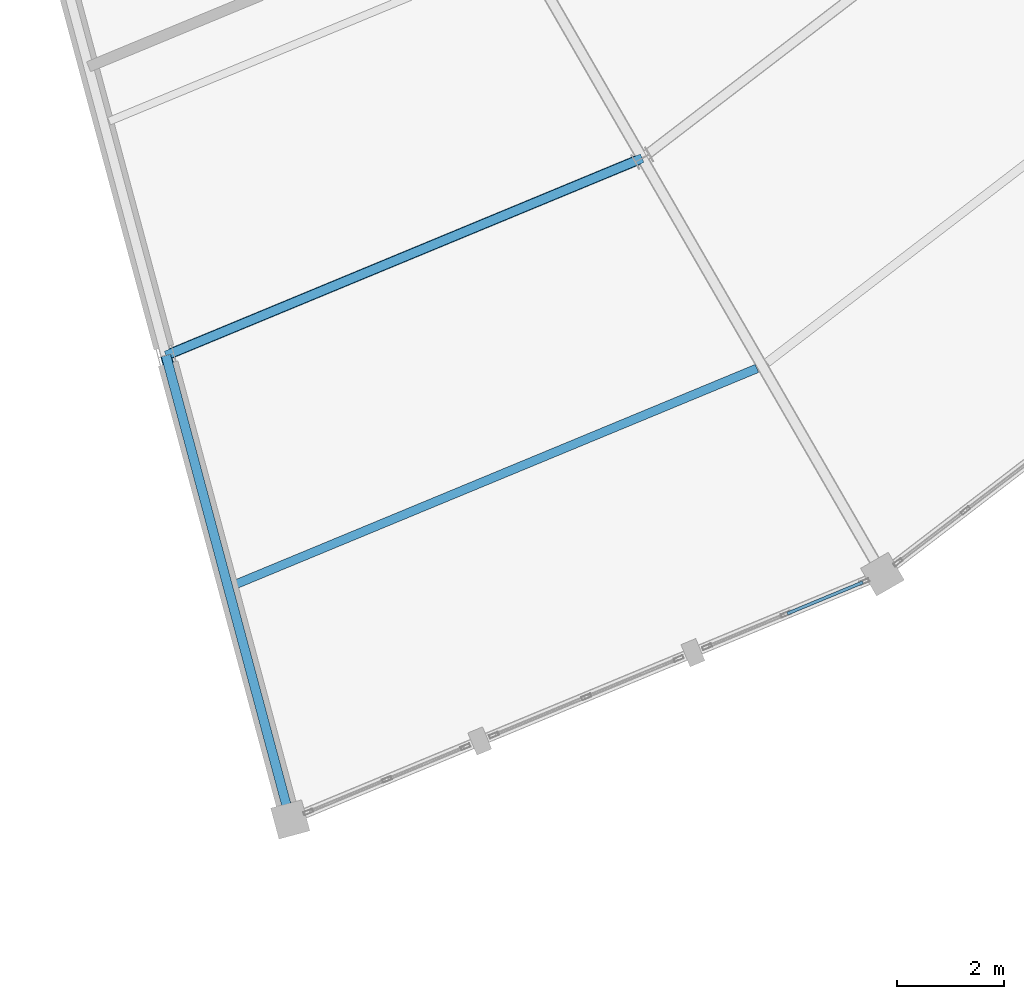
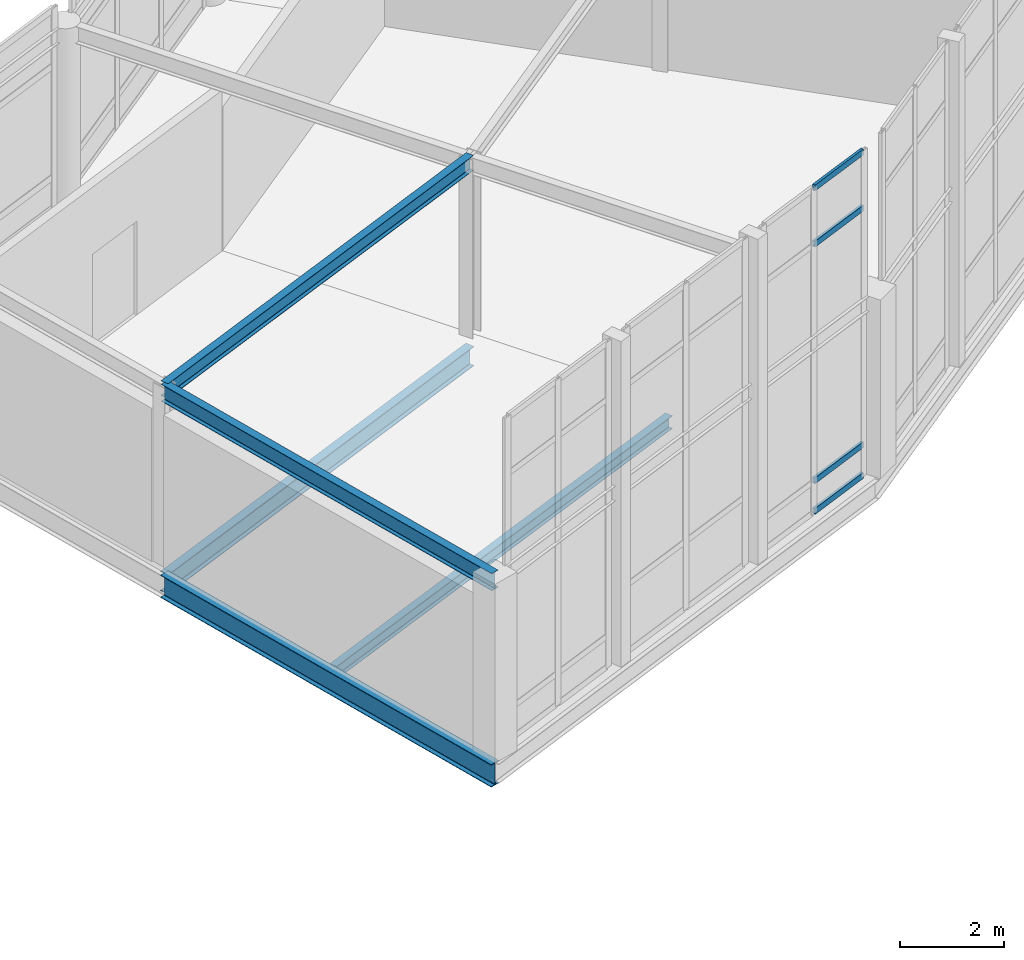
# One storey, part 42 of 170: 5 beams, 4 members, 1 element without a shape of its own.
"""IFC4 building model written with IfcOpenShell, lengths in metres."""

from ifc_helpers import new_model, si_unit, direction, frame, origin, origin_2d, place, context, subcontext, project, spatial, hollow_rectangle, i_section, extrude, material, material_profile, profile_set, type_object, element, aggregate, save


model = new_model("IFC4")

# Units and contexts
model_context = context("Model", 3, precision=1e-05, world=origin(), true_north=direction((0.0, 1.0)))
body_context = subcontext(model_context, "Body", "Model", "MODEL_VIEW")
ifc_project = project(units=[si_unit("LENGTHUNIT", "METRE"), si_unit("AREAUNIT", "SQUARE_METRE"), si_unit("VOLUMEUNIT", "CUBIC_METRE"), si_unit("PLANEANGLEUNIT", "RADIAN"), si_unit("MASSUNIT", "GRAM", prefix="KILO")], contexts=[model_context])

# Site, building, storey
site_placement = place(None, origin())
site = spatial("IfcSite", under=ifc_project, at=site_placement, CompositionType="ELEMENT")
building_placement = place(site_placement, origin())
building = spatial("IfcBuilding", under=site, at=building_placement, Name="Vondelvale Polytechnic", CompositionType="ELEMENT")
storey_placement = place(building_placement, frame((0.0, 0.0, 5.39990234375)))
storey = spatial("IfcBuildingStorey", under=building, at=storey_placement, Name="L01", CompositionType="ELEMENT", Elevation=5.39990234375)

# Beams
ifc_material_1 = material(Name="Steel 300PLUS (fy = 300 MPa)", Category="steel")
ifc_material_profile_1 = material_profile(ifc_material_1, i_section(OverallWidth=0.1708984375, OverallDepth=0.35205078125, WebThickness=0.0068359375, FlangeThickness=0.009765625, FilletRadius=0.011474609375, at=origin_2d()), Name="360UB44.7")
ifc_profile_set_1 = profile_set([ifc_material_profile_1], Name="Steel 300PLUS (fy = 300 MPa)")
beam_type_1 = type_object("IfcBeamType", Name="BM-UB360L", PredefinedType="BEAM", material=ifc_profile_set_1)
beam_1_placement = place(storey_placement, frame((111.576416015625, 36.2607421875, 4.024169921875), z_axis=(0.923878816854, 0.38268516011, 0.0), x_axis=(-0.38268516011, 0.923878816854, 0.0)))
element("IfcBeam", 1, at=beam_1_placement, inside=storey, type_object=beam_type_1, Name="L01 RE B-24", PredefinedType="BEAM", context=body_context, shape_type="SweptSolid", body=[
    extrude(i_section(OverallWidth=0.1708984375, OverallDepth=0.35205078125, WebThickness=0.0068359375, FlangeThickness=0.009765625, FilletRadius=0.011474609375, at=origin_2d()), origin(), (0.0, 0.0, 1.0), 9.658935546875),
])
ifc_material_profile_2 = material_profile(ifc_material_1, i_section(OverallWidth=0.177978515625, OverallDepth=0.403076171875, WebThickness=0.007568359375, FlangeThickness=0.010986328125, FilletRadius=0.011474609375, at=origin_2d()), Name="410UB53.7")
ifc_profile_set_2 = profile_set([ifc_material_profile_2], Name="Steel 300PLUS (fy = 300 MPa)")
beam_type_2 = type_object("IfcBeamType", Name="BM-UB410L", PredefinedType="BEAM", material=ifc_profile_set_2)
beam_2_placement = place(storey_placement, frame((111.576416015625, 36.2607421875, 3.99853515625), z_axis=(0.25881563226, -0.965926740751, 0.0), x_axis=(0.965926740751, 0.25881563226, 0.0)))
element("IfcBeam", 2, at=beam_2_placement, inside=storey, type_object=beam_type_2, Name="L01 REG B-23", PredefinedType="BEAM", context=body_context, shape_type="SweptSolid", body=[
    extrude(i_section(OverallWidth=0.177978515625, OverallDepth=0.403076171875, WebThickness=0.007568359375, FlangeThickness=0.010986328125, FilletRadius=0.011474609375, at=origin_2d()), origin(), (0.0, 0.0, 1.0), 9.0),
])
ifc_material_profile_3 = material_profile(ifc_material_1, i_section(OverallWidth=0.19091796875, OverallDepth=0.4599609375, WebThickness=0.010009765625, FlangeThickness=0.01611328125, FilletRadius=0.011474609375, at=origin_2d()), Name="460UB82.1")
ifc_profile_set_3 = profile_set([ifc_material_profile_3], Name="Steel 300PLUS (fy = 300 MPa)")
beam_type_3 = type_object("IfcBeamType", Name="BM-UB460H", PredefinedType="BEAM", material=ifc_profile_set_3)
beam_3_placement = place(storey_placement, frame((111.576416015625, 36.2607421875, -0.510009765625), z_axis=(0.923878816854, 0.38268516011, 0.0), x_axis=(-0.38268516011, 0.923878816854, 0.0)))
element("IfcBeam", 3, at=beam_3_placement, inside=storey, type_object=beam_type_3, Name="L01 RB B-12", PredefinedType="BEAM", context=body_context, shape_type="SweptSolid", body=[
    extrude(i_section(OverallWidth=0.19091796875, OverallDepth=0.4599609375, WebThickness=0.010009765625, FlangeThickness=0.01611328125, FilletRadius=0.011474609375, at=origin_2d()), origin(), (0.0, 0.0, 1.0), 9.658935546875),
])
ifc_material_profile_4 = material_profile(ifc_material_1, i_section(OverallWidth=0.208984375, OverallDepth=0.532958984375, WebThickness=0.01025390625, FlangeThickness=0.015625, FilletRadius=0.013916015625, at=origin_2d()), Name="530UB92.4")
ifc_profile_set_4 = profile_set([ifc_material_profile_4], Name="Steel 300PLUS (fy = 300 MPa)")
beam_type_4 = type_object("IfcBeamType", Name="BM-UB530", PredefinedType="BEAM", material=ifc_profile_set_4)
beam_4_placement = place(storey_placement, frame((111.576416015625, 36.2607421875, -0.54638671875), z_axis=(0.25881563226, -0.965926740751, 0.0), x_axis=(0.965926740751, 0.25881563226, 0.0)))
element("IfcBeam", 4, at=beam_4_placement, inside=storey, type_object=beam_type_4, Name="L01 RG B-11", PredefinedType="BEAM", context=body_context, shape_type="SweptSolid", body=[
    extrude(i_section(OverallWidth=0.208984375, OverallDepth=0.532958984375, WebThickness=0.01025390625, FlangeThickness=0.015625, FilletRadius=0.013916015625, at=origin_2d()), origin(), (0.0, 0.0, 1.0), 9.0),
])

# Curtain wall, members
ifc_material_2 = material(Name="Glulam GL18 structural Tasmanian oak (fb = 42 MPa)", Category="wood")
curtain_wall_type = type_object("IfcCurtainWallType", Name="CW-RING-OUTER", PredefinedType="NOTDEFINED", material=ifc_material_2)
curtain_wall_placement = place(storey_placement, origin())
curtain_wall = element("IfcCurtainWall", 5, at=curtain_wall_placement, inside=storey, type_object=curtain_wall_type, Name="L01 architectural curtain wall CW-04-340", PredefinedType="NOTDEFINED")
ifc_material_3 = material(Name="Anodised extruded aluminium 6063-T6", Category="aluminium")
ifc_material_profile_5 = material_profile(ifc_material_3, hollow_rectangle(XDim=0.06005859375, YDim=0.139892578125, WallThickness=0.00341796875, at=origin_2d()), Name="CW-TRN-140x60")
ifc_profile_set_5 = profile_set([ifc_material_profile_5], Name="Anodised extruded aluminium 6063-T6")
member_type = type_object("IfcMemberType", Name="CW-TRN-60x140", PredefinedType="USERDEFINED", material=ifc_profile_set_5)
member_1_placement = place(storey_placement, frame((123.218994140625, 31.425048828125, 0.030029296875), z_axis=(0.923839843027, 0.382779237206, 0.0), x_axis=(-0.382779237206, 0.923839843027, 0.0)))
member_1 = element("IfcMember", 6, at=member_1_placement, type_object=member_type, Name="CW-04-340 transom 2.1", ObjectType="TRANSOM", PredefinedType="USERDEFINED", context=body_context, shape_type="SweptSolid", body=[
    extrude(hollow_rectangle(XDim=0.06005859375, YDim=0.139892578125, WallThickness=0.00341796875, at=origin_2d()), origin(), (0.0, 0.0, 1.0), 1.530029296875),
])
member_2_placement = place(storey_placement, frame((123.218994140625, 31.425048828125, 0.75), z_axis=(0.923839843027, 0.382779237206, 0.0), x_axis=(-0.382779237206, 0.923839843027, 0.0)))
member_2 = element("IfcMember", 7, at=member_2_placement, type_object=member_type, Name="CW-04-340 transom 2.2", ObjectType="TRANSOM", PredefinedType="USERDEFINED", context=body_context, shape_type="SweptSolid", body=[
    extrude(hollow_rectangle(XDim=0.06005859375, YDim=0.139892578125, WallThickness=0.00341796875, at=origin_2d()), origin(), (0.0, 0.0, 1.0), 1.530029296875),
])
member_3_placement = place(storey_placement, frame((123.218994140625, 31.425048828125, 6.3115234375), z_axis=(0.923839843027, 0.382779237206, 0.0), x_axis=(-0.382779237206, 0.923839843027, 0.0)))
member_3 = element("IfcMember", 8, at=member_3_placement, type_object=member_type, Name="CW-04-340 transom 2.3", ObjectType="TRANSOM", PredefinedType="USERDEFINED", context=body_context, shape_type="SweptSolid", body=[
    extrude(hollow_rectangle(XDim=0.06005859375, YDim=0.139892578125, WallThickness=0.00341796875, at=origin_2d()), origin(), (0.0, 0.0, 1.0), 1.530029296875),
])
member_4_placement = place(storey_placement, frame((123.218994140625, 31.425048828125, 7.631591796875), z_axis=(0.923839843027, 0.382779237206, 0.0), x_axis=(-0.382779237206, 0.923839843027, 0.0)))
member_4 = element("IfcMember", 9, at=member_4_placement, type_object=member_type, Name="CW-04-340 transom 2.4", ObjectType="TRANSOM", PredefinedType="USERDEFINED", context=body_context, shape_type="SweptSolid", body=[
    extrude(hollow_rectangle(XDim=0.06005859375, YDim=0.139892578125, WallThickness=0.00341796875, at=origin_2d()), origin(), (0.0, 0.0, 1.0), 1.530029296875),
])
aggregate(curtain_wall, [member_1, member_2, member_3, member_4])

# Beam
ifc_material_profile_6 = material_profile(ifc_material_1, i_section(OverallWidth=0.1650390625, OverallDepth=0.303955078125, WebThickness=0.006103515625, FlangeThickness=0.01025390625, FilletRadius=0.011474609375, at=origin_2d()), Name="310UB40.4")
ifc_profile_set_6 = profile_set([ifc_material_profile_6], Name="Steel 300PLUS (fy = 300 MPa)")
beam_type_5 = type_object("IfcBeamType", Name="JST-UB310", PredefinedType="JOIST", material=ifc_profile_set_6)
beam_5_placement = place(storey_placement, frame((112.842529296875, 31.956298828125, -0.431884765625), z_axis=(0.923886751865, 0.382666002839, 0.0), x_axis=(-0.382666002839, 0.923886751865, 0.0)))
element("IfcBeam", 10, at=beam_5_placement, inside=storey, type_object=beam_type_5, Name="L01 RJ J-05", PredefinedType="JOIST", context=body_context, shape_type="SweptSolid", body=[
    extrude(i_section(OverallWidth=0.1650390625, OverallDepth=0.303955078125, WebThickness=0.006103515625, FlangeThickness=0.01025390625, FilletRadius=0.011474609375, at=origin_2d()), origin(), (0.0, 0.0, 1.0), 10.61376953125),
])

save(model, "model.ifc")
